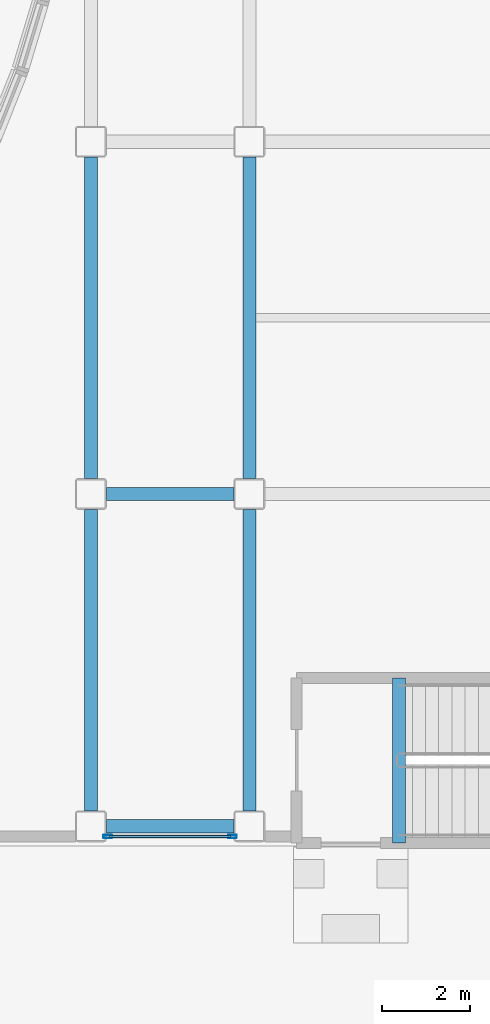
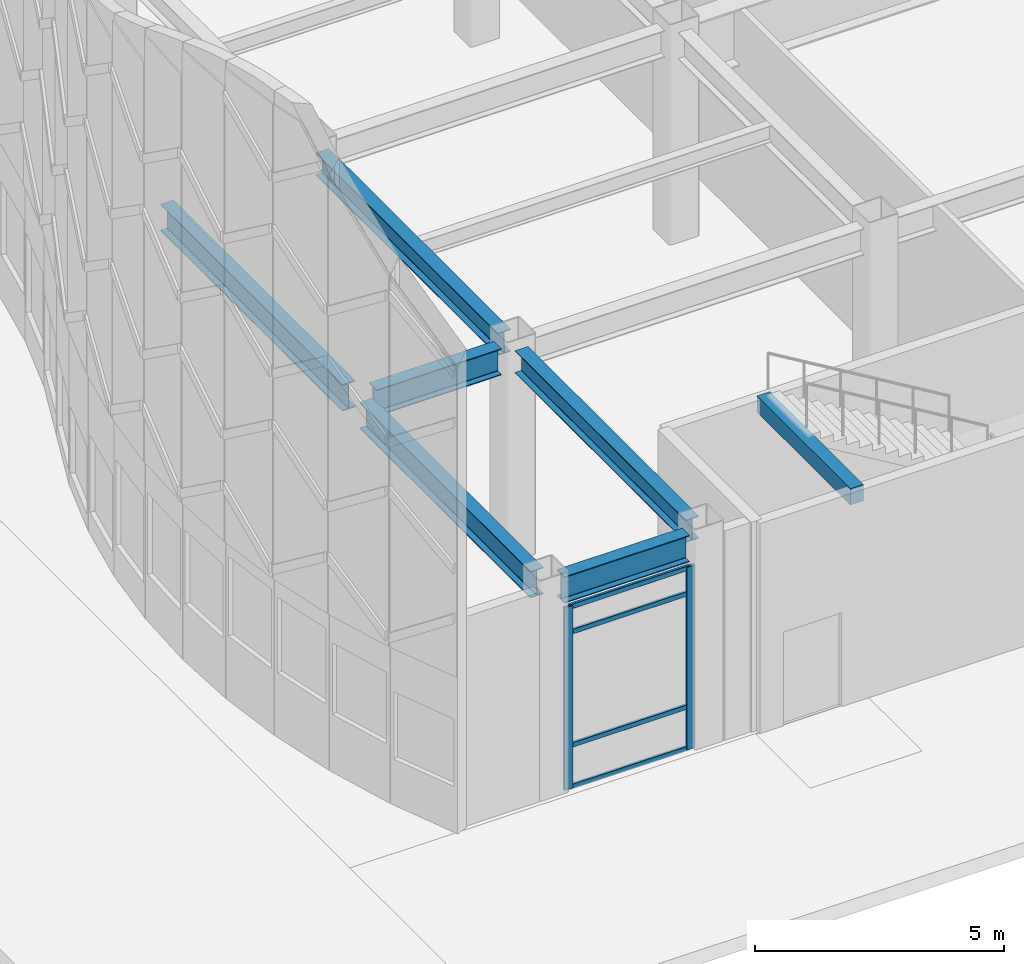
# One storey, part 8 of 165: 7 beams, 6 members, 1 element without a shape of its own.
"""IFC4 building model written with IfcOpenShell, lengths in metres."""

from ifc_helpers import new_model, si_unit, direction, frame, origin, origin_2d, place, context, subcontext, project, spatial, rectangle, hollow_rectangle, i_section, extrude, material, layer, layer_set, material_profile, profile_set, type_object, element, aggregate, save


model = new_model("IFC4")

# Units and contexts
model_context = context("Model", 3, precision=1e-05, world=origin(), true_north=direction((0.0, 1.0)))
body_context = subcontext(model_context, "Body", "Model", "MODEL_VIEW")
ifc_project = project(units=[si_unit("LENGTHUNIT", "METRE"), si_unit("AREAUNIT", "SQUARE_METRE"), si_unit("VOLUMEUNIT", "CUBIC_METRE"), si_unit("PLANEANGLEUNIT", "RADIAN"), si_unit("MASSUNIT", "GRAM", prefix="KILO")], contexts=[model_context])

# Site, building, storey
site_placement = place(None, origin())
site = spatial("IfcSite", under=ifc_project, at=site_placement, CompositionType="ELEMENT")
building_placement = place(site_placement, origin())
building = spatial("IfcBuilding", under=site, at=building_placement, Name="Kazehara Bluff Congress Hotel", CompositionType="ELEMENT")
storey_placement = place(building_placement, origin())
storey = spatial("IfcBuildingStorey", under=building, at=storey_placement, Name="L00", CompositionType="ELEMENT", Elevation=0.0)

# Curtain wall, members
ifc_material_1 = material(Name="Anodised aluminium", Category="aluminium")
ifc_layer = layer(ifc_material_1, 0.159912109375)
ifc_layer_set = layer_set([ifc_layer], Name="Anodised aluminium")
curtain_wall_type = type_object("IfcCurtainWallType", Name="TP-CW-97", PredefinedType="NOTDEFINED", material=ifc_layer_set)
curtain_wall_placement = place(storey_placement, origin())
curtain_wall = element("IfcCurtainWall", 1, at=curtain_wall_placement, inside=storey, type_object=curtain_wall_type, Name="L00 curtain wall CW-97 CW-ENC-V2-L00-660-22", PredefinedType="NOTDEFINED")
ifc_material_2 = material(Name="Anodised aluminium", Category="aluminium")
ifc_material_profile_1 = material_profile(ifc_material_2, hollow_rectangle(XDim=0.070068359375, YDim=0.199951171875, WallThickness=0.0048828125, InnerFilletRadius=0.0048828125, OuterFilletRadius=0.010009765625, at=origin_2d()))
ifc_profile_set_1 = profile_set([ifc_material_profile_1], Name="Anodised aluminium")
member_type_1 = type_object("IfcMemberType", Name="TP-CWM-03", PredefinedType="MULLION", material=ifc_profile_set_1)
member_1_placement = place(storey_placement, frame((8.014892578125, 0.219970703125, 0.0), z_axis=(0.0, 0.0, 1.0), x_axis=(0.0, -1.0, 0.0)))
member_1 = element("IfcMember", 2, at=member_1_placement, type_object=member_type_1, Name="CW-97 mullion 1", PredefinedType="MULLION", context=body_context, shape_type="SweptSolid", body=[
    extrude(hollow_rectangle(XDim=0.070068359375, YDim=0.199951171875, WallThickness=0.0048828125, InnerFilletRadius=0.0048828125, OuterFilletRadius=0.010009765625, at=origin_2d()), origin(), (0.0, 0.0, 1.0), 4.47509765625),
])
member_2_placement = place(storey_placement, frame((5.18505859375, 0.219970703125, 0.0), z_axis=(0.0, 0.0, 1.0), x_axis=(0.0, -1.0, 0.0)))
member_2 = element("IfcMember", 3, at=member_2_placement, type_object=member_type_1, Name="CW-97 mullion 2", PredefinedType="MULLION", context=body_context, shape_type="SweptSolid", body=[
    extrude(hollow_rectangle(XDim=0.070068359375, YDim=0.199951171875, WallThickness=0.0048828125, InnerFilletRadius=0.0048828125, OuterFilletRadius=0.010009765625, at=origin_2d()), origin(), (0.0, 0.0, 1.0), 4.47509765625),
])
ifc_material_3 = material(Name="Anodised aluminium", Category="aluminium")
ifc_material_profile_2 = material_profile(ifc_material_3, hollow_rectangle(XDim=0.06005859375, YDim=0.1201171875, WallThickness=0.00390625, InnerFilletRadius=0.00390625, OuterFilletRadius=0.008056640625, at=origin_2d()))
ifc_profile_set_2 = profile_set([ifc_material_profile_2], Name="Anodised aluminium")
member_type_2 = type_object("IfcMemberType", Name="TP-CWT-01", PredefinedType="USERDEFINED", material=ifc_profile_set_2)
member_3_placement = place(storey_placement, frame((7.97998046875, 0.219970703125, 0.030029296875), z_axis=(-1.0, 0.0, 0.0), x_axis=(0.0, -1.0, 0.0)))
member_3 = element("IfcMember", 4, at=member_3_placement, type_object=member_type_2, Name="CW-97 transom 1.1", ObjectType="TRANSOM", PredefinedType="USERDEFINED", context=body_context, shape_type="SweptSolid", body=[
    extrude(hollow_rectangle(XDim=0.06005859375, YDim=0.1201171875, WallThickness=0.00390625, InnerFilletRadius=0.00390625, OuterFilletRadius=0.008056640625, at=origin_2d()), origin(), (0.0, 0.0, 1.0), 2.760009765625),
])
member_4_placement = place(storey_placement, frame((7.97998046875, 0.219970703125, 1.050048828125), z_axis=(-1.0, 0.0, 0.0), x_axis=(0.0, -1.0, 0.0)))
member_4 = element("IfcMember", 5, at=member_4_placement, type_object=member_type_2, Name="CW-97 transom 1.2", ObjectType="TRANSOM", PredefinedType="USERDEFINED", context=body_context, shape_type="SweptSolid", body=[
    extrude(hollow_rectangle(XDim=0.06005859375, YDim=0.1201171875, WallThickness=0.00390625, InnerFilletRadius=0.00390625, OuterFilletRadius=0.008056640625, at=origin_2d()), origin(), (0.0, 0.0, 1.0), 2.760009765625),
])
member_5_placement = place(storey_placement, frame((7.97998046875, 0.219970703125, 3.824951171875), z_axis=(-1.0, 0.0, 0.0), x_axis=(0.0, -1.0, 0.0)))
member_5 = element("IfcMember", 6, at=member_5_placement, type_object=member_type_2, Name="CW-97 transom 1.3", ObjectType="TRANSOM", PredefinedType="USERDEFINED", context=body_context, shape_type="SweptSolid", body=[
    extrude(hollow_rectangle(XDim=0.06005859375, YDim=0.1201171875, WallThickness=0.00390625, InnerFilletRadius=0.00390625, OuterFilletRadius=0.008056640625, at=origin_2d()), origin(), (0.0, 0.0, 1.0), 2.760009765625),
])
member_6_placement = place(storey_placement, frame((7.97998046875, 0.219970703125, 4.445068359375), z_axis=(-1.0, 0.0, 0.0), x_axis=(0.0, -1.0, 0.0)))
member_6 = element("IfcMember", 7, at=member_6_placement, type_object=member_type_2, Name="CW-97 transom 1.4", ObjectType="TRANSOM", PredefinedType="USERDEFINED", context=body_context, shape_type="SweptSolid", body=[
    extrude(hollow_rectangle(XDim=0.06005859375, YDim=0.1201171875, WallThickness=0.00390625, InnerFilletRadius=0.00390625, OuterFilletRadius=0.008056640625, at=origin_2d()), origin(), (0.0, 0.0, 1.0), 2.760009765625),
])
aggregate(curtain_wall, [member_1, member_2, member_3, member_4, member_5, member_6])

# Beams
ifc_material_4 = material(Name="Steel SN490B", Category="steel")
ifc_material_profile_3 = material_profile(ifc_material_4, i_section(OverallWidth=0.300048828125, OverallDepth=0.64990234375, WebThickness=0.011962890625, FlangeThickness=0.02001953125, FilletRadius=0.012939453125, at=origin_2d()))
ifc_profile_set_3 = profile_set([ifc_material_profile_3], Name="Steel SN490B")
beam_type_1 = type_object("IfcBeamType", Name="TP-G-03", PredefinedType="BEAM", material=ifc_profile_set_3)
beam_1_placement = place(storey_placement, frame((4.800048828125, 0.800048828125, 4.824951171875), z_axis=(0.0, 1.0, 0.0), x_axis=(-1.0, 0.0, 0.0)))
element("IfcBeam", 8, at=beam_1_placement, inside=storey, type_object=beam_type_1, Name="L00 girder G-03 41", PredefinedType="BEAM", context=body_context, shape_type="SweptSolid", body=[
    extrude(i_section(OverallWidth=0.300048828125, OverallDepth=0.64990234375, WebThickness=0.011962890625, FlangeThickness=0.02001953125, FilletRadius=0.012939453125, at=origin_2d()), origin(), (0.0, 0.0, 1.0), 6.849853515625),
])
beam_2_placement = place(storey_placement, frame((4.800048828125, 8.35009765625, 4.824951171875), z_axis=(0.0, 1.0, 0.0), x_axis=(-1.0, 0.0, 0.0)))
element("IfcBeam", 9, at=beam_2_placement, inside=storey, type_object=beam_type_1, Name="L00 girder G-03 42", PredefinedType="BEAM", context=body_context, shape_type="SweptSolid", body=[
    extrude(i_section(OverallWidth=0.300048828125, OverallDepth=0.64990234375, WebThickness=0.011962890625, FlangeThickness=0.02001953125, FilletRadius=0.012939453125, at=origin_2d()), origin(), (0.0, 0.0, 1.0), 7.2998046875),
])
for number, where, z_axis, x_axis, name in (
    (10, (5.14990234375, 0.449951171875, 4.824951171875), (1.0, 0.0, 0.0), (0.0, 1.0, 0.0), "L00 girder G-03 70"),
    (11, (5.14990234375, 8.0, 4.824951171875), (1.0, 0.0, 0.0), (0.0, 1.0, 0.0), "L00 girder G-03 73"),
):
    element("IfcBeam", number, at=place(storey_placement, frame(where, z_axis=z_axis, x_axis=x_axis)), inside=storey, type_object=beam_type_1, Name=name, PredefinedType="BEAM", context=body_context, shape_type="SweptSolid", body=[
        extrude(i_section(OverallWidth=0.300048828125, OverallDepth=0.64990234375, WebThickness=0.011962890625, FlangeThickness=0.02001953125, FilletRadius=0.012939453125, at=origin_2d()), origin(), (0.0, 0.0, 1.0), 2.900146484375),
    ])
ifc_material_5 = material(Name="Concrete C40/50", Category="concrete")
ifc_material_profile_4 = material_profile(ifc_material_5, rectangle(XDim=0.300048828125, YDim=0.39990234375, at=origin_2d()))
ifc_profile_set_4 = profile_set([ifc_material_profile_4], Name="Concrete C40/50")
beam_type_2 = type_object("IfcBeamType", Name="TP-LN-02", PredefinedType="LINTEL", material=ifc_profile_set_4)
beam_3_placement = place(storey_placement, frame((11.800048828125, 0.074951171875, 4.969970703125), z_axis=(0.0, 1.0, 0.0), x_axis=(-1.0, 0.0, 0.0)))
element("IfcBeam", 12, at=beam_3_placement, inside=storey, type_object=beam_type_2, Name="L01 ST-04 stairwell trimmer beam", PredefinedType="LINTEL", context=body_context, shape_type="SweptSolid", body=[
    extrude(rectangle(XDim=0.300048828125, YDim=0.39990234375, at=origin_2d()), origin(), (0.0, 0.0, 1.0), 3.75),
])
ifc_material_6 = material(Name="Steel SN490B", Category="steel")
ifc_material_profile_5 = material_profile(ifc_material_6, i_section(OverallWidth=0.300048828125, OverallDepth=0.550048828125, WebThickness=0.010986328125, FlangeThickness=0.01806640625, FilletRadius=0.012939453125, at=origin_2d()))
ifc_profile_set_5 = profile_set([ifc_material_profile_5], Name="Steel SN490B")
beam_type_3 = type_object("IfcBeamType", Name="TP-SP-01", PredefinedType="SPANDREL", material=ifc_profile_set_5)
beam_4_placement = place(storey_placement, frame((8.39990234375, 0.800048828125, 4.875), z_axis=(0.0, 1.0, 0.0), x_axis=(-1.0, 0.0, 0.0)))
element("IfcBeam", 13, at=beam_4_placement, inside=storey, type_object=beam_type_3, Name="L00 girder SP-01 45", PredefinedType="SPANDREL", context=body_context, shape_type="SweptSolid", body=[
    extrude(i_section(OverallWidth=0.300048828125, OverallDepth=0.550048828125, WebThickness=0.010986328125, FlangeThickness=0.01806640625, FilletRadius=0.012939453125, at=origin_2d()), origin(), (0.0, 0.0, 1.0), 6.849853515625),
])
beam_5_placement = place(storey_placement, frame((8.39990234375, 8.35009765625, 4.875), z_axis=(0.0, 1.0, 0.0), x_axis=(-1.0, 0.0, 0.0)))
element("IfcBeam", 14, at=beam_5_placement, inside=storey, type_object=beam_type_3, Name="L00 girder SP-01 46", PredefinedType="SPANDREL", context=body_context, shape_type="SweptSolid", body=[
    extrude(i_section(OverallWidth=0.300048828125, OverallDepth=0.550048828125, WebThickness=0.010986328125, FlangeThickness=0.01806640625, FilletRadius=0.012939453125, at=origin_2d()), origin(), (0.0, 0.0, 1.0), 7.2998046875),
])

save(model, "model.ifc")
